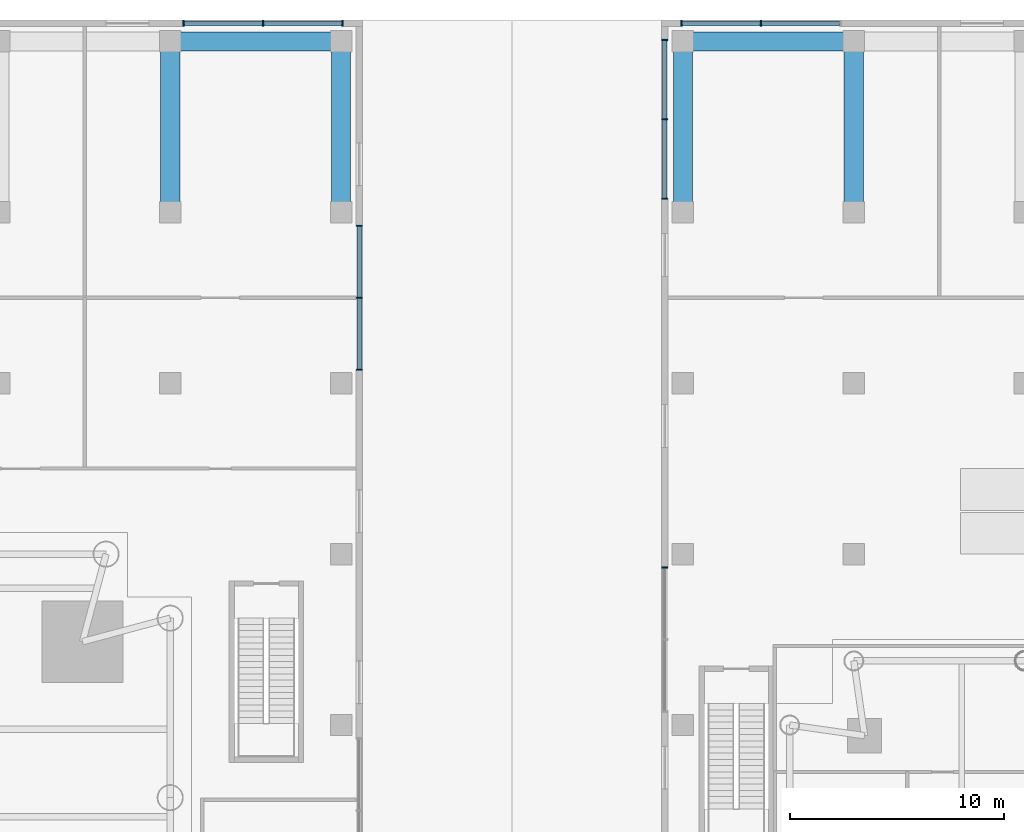
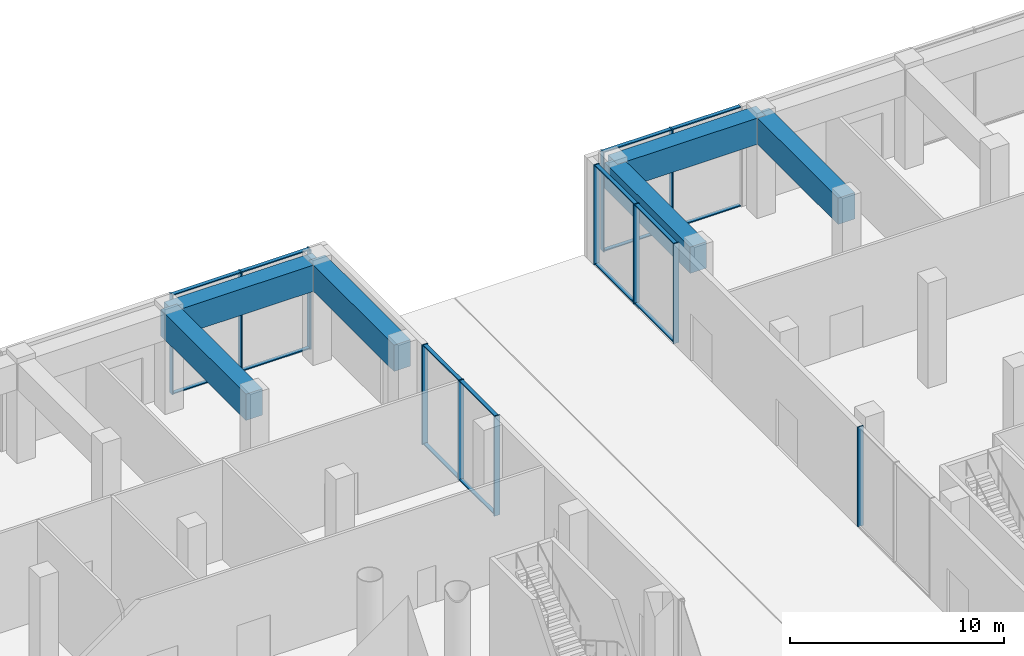
# One storey, part 16 of 39: 28 members, 6 beams, 5 elements without a shape of their own.
"""IFC4 building model written with IfcOpenShell, lengths in metres."""

from ifc_helpers import new_model, si_unit, direction, frame, origin, origin_2d, place, context, subcontext, project, spatial, rectangle, extrude, material, material_profile, profile_set, type_object, element, aggregate, save


model = new_model("IFC4")

# Units and contexts
model_context = context("Model", 3, precision=1e-05, world=origin(), true_north=direction((0.0, 1.0)))
body_context = subcontext(model_context, "Body", "Model", "MODEL_VIEW")
ifc_project = project(units=[si_unit("LENGTHUNIT", "METRE"), si_unit("AREAUNIT", "SQUARE_METRE"), si_unit("VOLUMEUNIT", "CUBIC_METRE"), si_unit("PLANEANGLEUNIT", "RADIAN"), si_unit("MASSUNIT", "GRAM", prefix="KILO")], contexts=[model_context])

# Site, building, storey
site_placement = place(None, origin())
site = spatial("IfcSite", under=ifc_project, at=site_placement, CompositionType="ELEMENT")
building_placement = place(site_placement, origin())
building = spatial("IfcBuilding", under=site, at=building_placement, Name="Ostroluk Exchange", CompositionType="ELEMENT")
storey_placement = place(building_placement, origin())
storey = spatial("IfcBuildingStorey", under=building, at=storey_placement, Name="L00", CompositionType="ELEMENT", Elevation=0.0)

# Beams
ifc_material_1 = material(Name="Concrete C50/60", Category="concrete")
ifc_material_profile_1 = material_profile(ifc_material_1, rectangle(XDim=0.89990234375, YDim=1.5, at=origin_2d()), Name="RC 900x1500")
ifc_profile_set_1 = profile_set([ifc_material_profile_1], Name="Concrete C50/60")
beam_type = type_object("IfcBeamType", Name="Podium edge beam RC 900x1500", PredefinedType="BEAM", material=ifc_profile_set_1)
for number, where, z_axis, x_axis, name in (
    (1, (69.0, 94.0, 4.949951171875), (0.0, -1.0, 0.0), (1.0, 0.0, 0.0), "Terrace beam L01 west N 69"),
    (2, (77.0, 94.0, 4.949951171875), (0.0, -1.0, 0.0), (1.0, 0.0, 0.0), "Terrace beam L01 west N 77"),
    (3, (93.0, 94.0, 4.949951171875), (0.0, -1.0, 0.0), (1.0, 0.0, 0.0), "Terrace beam L01 east N 93"),
    (4, (101.0, 94.0, 4.949951171875), (0.0, -1.0, 0.0), (1.0, 0.0, 0.0), "Terrace beam L01 east N 101"),
    (5, (69.0, 94.0, 4.949951171875), (1.0, 0.0, 0.0), (0.0, 1.0, 0.0), "Terrace bay beam L01 Y94-69"),
    (6, (93.0, 94.0, 4.949951171875), (1.0, 0.0, 0.0), (0.0, 1.0, 0.0), "Terrace bay beam L01 Y94-93"),
):
    element("IfcBeam", number, at=place(storey_placement, frame(where, z_axis=z_axis, x_axis=x_axis)), inside=storey, type_object=beam_type, Name=name, PredefinedType="BEAM", context=body_context, shape_type="SweptSolid", body=[
        extrude(rectangle(XDim=0.89990234375, YDim=1.5, at=origin_2d()), origin(), (0.0, 0.0, 1.0), 8.0),
    ])

# Curtain wall, members
ifc_material_2 = material(Name="Laminated clear glass", Category="glass")
curtain_wall_type = type_object("IfcCurtainWallType", Name="Podium shopfront", PredefinedType="USERDEFINED", material=ifc_material_2)
curtain_wall_1_placement = place(storey_placement, origin())
curtain_wall_1 = element("IfcCurtainWall", 7, at=curtain_wall_1_placement, inside=storey, type_object=curtain_wall_type, Name="Podium west E shopfront 4", ObjectType="STICK SHOPFRONT", PredefinedType="USERDEFINED")
ifc_material_3 = material(Name="Aluminium mullion", Category="aluminium")
ifc_material_profile_2 = material_profile(ifc_material_3, rectangle(XDim=0.300048828125, YDim=0.06005859375, at=origin_2d()), Name="Shopfront mullion 60 x 300")
ifc_profile_set_2 = profile_set([ifc_material_profile_2], Name="Aluminium mullion")
member_type_1 = type_object("IfcMemberType", Name="Shopfront mullion 60 x 300", PredefinedType="MULLION", material=ifc_profile_set_2)
member_1_placement = place(storey_placement, frame((77.85009765625, 78.6298828125, 0.0), z_axis=(0.0, 0.0, 1.0), x_axis=(-1.0, 0.0, 0.0)))
member_1 = element("IfcMember", 8, at=member_1_placement, type_object=member_type_1, Name="CW-SF1 mullion 1", PredefinedType="MULLION", context=body_context, shape_type="SweptSolid", body=[
    extrude(rectangle(XDim=0.300048828125, YDim=0.06005859375, at=origin_2d()), origin(), (0.0, 0.0, 1.0), 5.699951171875),
])
member_2_placement = place(storey_placement, frame((77.85009765625, 82.0, 0.0), z_axis=(0.0, 0.0, 1.0), x_axis=(-1.0, 0.0, 0.0)))
member_2 = element("IfcMember", 9, at=member_2_placement, type_object=member_type_1, Name="CW-SF1 mullion 2", PredefinedType="MULLION", context=body_context, shape_type="SweptSolid", body=[
    extrude(rectangle(XDim=0.300048828125, YDim=0.06005859375, at=origin_2d()), origin(), (0.0, 0.0, 1.0), 5.699951171875),
])
member_3_placement = place(storey_placement, frame((77.85009765625, 85.3701171875, 0.0), z_axis=(0.0, 0.0, 1.0), x_axis=(-1.0, 0.0, 0.0)))
member_3 = element("IfcMember", 10, at=member_3_placement, type_object=member_type_1, Name="CW-SF1 mullion 3", PredefinedType="MULLION", context=body_context, shape_type="SweptSolid", body=[
    extrude(rectangle(XDim=0.300048828125, YDim=0.06005859375, at=origin_2d()), origin(), (0.0, 0.0, 1.0), 5.699951171875),
])

curtain_wall_2_placement = place(storey_placement, origin())
curtain_wall_2 = element("IfcCurtainWall", 11, at=curtain_wall_2_placement, inside=storey, type_object=curtain_wall_type, Name="Podium west N shopfront 1", ObjectType="STICK SHOPFRONT", PredefinedType="USERDEFINED")
member_4_placement = place(storey_placement, frame((77.070068359375, 94.85009765625, 0.0), z_axis=(0.0, 0.0, 1.0), x_axis=(0.0, -1.0, 0.0)))
member_4 = element("IfcMember", 12, at=member_4_placement, type_object=member_type_1, Name="CW-SF1 mullion 1", PredefinedType="MULLION", context=body_context, shape_type="SweptSolid", body=[
    extrude(rectangle(XDim=0.300048828125, YDim=0.06005859375, at=origin_2d()), origin(), (0.0, 0.0, 1.0), 5.699951171875),
])
member_5_placement = place(storey_placement, frame((73.35009765625, 94.85009765625, 0.0), z_axis=(0.0, 0.0, 1.0), x_axis=(0.0, -1.0, 0.0)))
member_5 = element("IfcMember", 13, at=member_5_placement, type_object=member_type_1, Name="CW-SF1 mullion 2", PredefinedType="MULLION", context=body_context, shape_type="SweptSolid", body=[
    extrude(rectangle(XDim=0.300048828125, YDim=0.06005859375, at=origin_2d()), origin(), (0.0, 0.0, 1.0), 5.699951171875),
])
member_6_placement = place(storey_placement, frame((69.6298828125, 94.85009765625, 0.0), z_axis=(0.0, 0.0, 1.0), x_axis=(0.0, -1.0, 0.0)))
member_6 = element("IfcMember", 14, at=member_6_placement, type_object=member_type_1, Name="CW-SF1 mullion 3", PredefinedType="MULLION", context=body_context, shape_type="SweptSolid", body=[
    extrude(rectangle(XDim=0.300048828125, YDim=0.06005859375, at=origin_2d()), origin(), (0.0, 0.0, 1.0), 5.699951171875),
])

curtain_wall_3_placement = place(storey_placement, origin())
curtain_wall_3 = element("IfcCurtainWall", 15, at=curtain_wall_3_placement, inside=storey, type_object=curtain_wall_type, Name="Podium east N shopfront 4", ObjectType="STICK SHOPFRONT", PredefinedType="USERDEFINED")
member_7_placement = place(storey_placement, frame((96.64990234375, 94.85009765625, 0.0), z_axis=(0.0, 0.0, 1.0), x_axis=(0.0, -1.0, 0.0)))
member_7 = element("IfcMember", 16, at=member_7_placement, type_object=member_type_1, Name="CW-SF1 mullion 2", PredefinedType="MULLION", context=body_context, shape_type="SweptSolid", body=[
    extrude(rectangle(XDim=0.300048828125, YDim=0.06005859375, at=origin_2d()), origin(), (0.0, 0.0, 1.0), 5.699951171875),
])
member_8_placement = place(storey_placement, frame((92.929931640625, 94.85009765625, 0.0), z_axis=(0.0, 0.0, 1.0), x_axis=(0.0, -1.0, 0.0)))
member_8 = element("IfcMember", 17, at=member_8_placement, type_object=member_type_1, Name="CW-SF1 mullion 3", PredefinedType="MULLION", context=body_context, shape_type="SweptSolid", body=[
    extrude(rectangle(XDim=0.300048828125, YDim=0.06005859375, at=origin_2d()), origin(), (0.0, 0.0, 1.0), 5.699951171875),
])

curtain_wall_4_placement = place(storey_placement, origin())
curtain_wall_4 = element("IfcCurtainWall", 18, at=curtain_wall_4_placement, inside=storey, type_object=curtain_wall_type, Name="Podium east W shopfront 1", ObjectType="STICK SHOPFRONT", PredefinedType="USERDEFINED")
member_9_placement = place(storey_placement, frame((92.14990234375, 94.070068359375, 0.0), z_axis=(0.0, 0.0, 1.0), x_axis=(1.0, 0.0, 0.0)))
member_9 = element("IfcMember", 19, at=member_9_placement, type_object=member_type_1, Name="CW-SF1 mullion 1", PredefinedType="MULLION", context=body_context, shape_type="SweptSolid", body=[
    extrude(rectangle(XDim=0.300048828125, YDim=0.06005859375, at=origin_2d()), origin(), (0.0, 0.0, 1.0), 5.699951171875),
])
member_10_placement = place(storey_placement, frame((92.14990234375, 90.35009765625, 0.0), z_axis=(0.0, 0.0, 1.0), x_axis=(1.0, 0.0, 0.0)))
member_10 = element("IfcMember", 20, at=member_10_placement, type_object=member_type_1, Name="CW-SF1 mullion 2", PredefinedType="MULLION", context=body_context, shape_type="SweptSolid", body=[
    extrude(rectangle(XDim=0.300048828125, YDim=0.06005859375, at=origin_2d()), origin(), (0.0, 0.0, 1.0), 5.699951171875),
])
member_11_placement = place(storey_placement, frame((92.14990234375, 86.6298828125, 0.0), z_axis=(0.0, 0.0, 1.0), x_axis=(1.0, 0.0, 0.0)))
member_11 = element("IfcMember", 21, at=member_11_placement, type_object=member_type_1, Name="CW-SF1 mullion 3", PredefinedType="MULLION", context=body_context, shape_type="SweptSolid", body=[
    extrude(rectangle(XDim=0.300048828125, YDim=0.06005859375, at=origin_2d()), origin(), (0.0, 0.0, 1.0), 5.699951171875),
])

# Curtain wall, member
curtain_wall_5_placement = place(storey_placement, origin())
curtain_wall_5 = element("IfcCurtainWall", 22, at=curtain_wall_5_placement, inside=storey, type_object=curtain_wall_type, Name="Podium east W shopfront 2", ObjectType="STICK SHOPFRONT", PredefinedType="USERDEFINED")
member_12_placement = place(storey_placement, frame((92.14990234375, 69.3701171875, 0.0), z_axis=(0.0, 0.0, 1.0), x_axis=(1.0, 0.0, 0.0)))
member_12 = element("IfcMember", 23, at=member_12_placement, type_object=member_type_1, Name="CW-SF1 mullion 1", PredefinedType="MULLION", context=body_context, shape_type="SweptSolid", body=[
    extrude(rectangle(XDim=0.300048828125, YDim=0.06005859375, at=origin_2d()), origin(), (0.0, 0.0, 1.0), 5.699951171875),
])
aggregate(curtain_wall_5, [member_12])

# Member
ifc_material_4 = material(Name="Aluminium mullion", Category="aluminium")
ifc_material_profile_3 = material_profile(ifc_material_4, rectangle(XDim=0.199951171875, YDim=0.06005859375, at=origin_2d()), Name="Shopfront transom 60 x 200")
ifc_profile_set_3 = profile_set([ifc_material_profile_3], Name="Aluminium mullion")
member_type_2 = type_object("IfcMemberType", Name="Shopfront transom 60 x 200", PredefinedType="USERDEFINED", material=ifc_profile_set_3)
member_13_placement = place(storey_placement, frame((77.85009765625, 78.659912109375, 0.030029296875), z_axis=(0.0, 1.0, 0.0), x_axis=(-1.0, 0.0, 0.0)))
member_13 = element("IfcMember", 24, at=member_13_placement, type_object=member_type_2, Name="CW-SF1 transom 1.1", ObjectType="TRANSOM", PredefinedType="USERDEFINED", context=body_context, shape_type="SweptSolid", body=[
    extrude(rectangle(XDim=0.199951171875, YDim=0.06005859375, at=origin_2d()), origin(), (0.0, 0.0, 1.0), 3.31005859375),
])

member_14_placement = place(storey_placement, frame((77.85009765625, 78.659912109375, 5.669921875), z_axis=(0.0, 1.0, 0.0), x_axis=(-1.0, 0.0, 0.0)))
member_14 = element("IfcMember", 25, at=member_14_placement, type_object=member_type_2, Name="CW-SF1 transom 1.2", ObjectType="TRANSOM", PredefinedType="USERDEFINED", context=body_context, shape_type="SweptSolid", body=[
    extrude(rectangle(XDim=0.199951171875, YDim=0.06005859375, at=origin_2d()), origin(), (0.0, 0.0, 1.0), 3.31005859375),
])

member_15_placement = place(storey_placement, frame((77.85009765625, 82.030029296875, 0.030029296875), z_axis=(0.0, 1.0, 0.0), x_axis=(-1.0, 0.0, 0.0)))
member_15 = element("IfcMember", 26, at=member_15_placement, type_object=member_type_2, Name="CW-SF1 transom 2.1", ObjectType="TRANSOM", PredefinedType="USERDEFINED", context=body_context, shape_type="SweptSolid", body=[
    extrude(rectangle(XDim=0.199951171875, YDim=0.06005859375, at=origin_2d()), origin(), (0.0, 0.0, 1.0), 3.31005859375),
])

member_16_placement = place(storey_placement, frame((77.85009765625, 82.030029296875, 5.669921875), z_axis=(0.0, 1.0, 0.0), x_axis=(-1.0, 0.0, 0.0)))
member_16 = element("IfcMember", 27, at=member_16_placement, type_object=member_type_2, Name="CW-SF1 transom 2.2", ObjectType="TRANSOM", PredefinedType="USERDEFINED", context=body_context, shape_type="SweptSolid", body=[
    extrude(rectangle(XDim=0.199951171875, YDim=0.06005859375, at=origin_2d()), origin(), (0.0, 0.0, 1.0), 3.31005859375),
])

aggregate(curtain_wall_1, [member_1, member_2, member_3, member_13, member_14, member_15, member_16])

member_17_placement = place(storey_placement, frame((77.0400390625, 94.85009765625, 0.030029296875), z_axis=(-1.0, 0.0, 0.0), x_axis=(0.0, -1.0, 0.0)))
member_17 = element("IfcMember", 28, at=member_17_placement, type_object=member_type_2, Name="CW-SF1 transom 1.1", ObjectType="TRANSOM", PredefinedType="USERDEFINED", context=body_context, shape_type="SweptSolid", body=[
    extrude(rectangle(XDim=0.199951171875, YDim=0.06005859375, at=origin_2d()), origin(), (0.0, 0.0, 1.0), 3.66015625),
])

member_18_placement = place(storey_placement, frame((77.0400390625, 94.85009765625, 5.669921875), z_axis=(-1.0, 0.0, 0.0), x_axis=(0.0, -1.0, 0.0)))
member_18 = element("IfcMember", 29, at=member_18_placement, type_object=member_type_2, Name="CW-SF1 transom 1.2", ObjectType="TRANSOM", PredefinedType="USERDEFINED", context=body_context, shape_type="SweptSolid", body=[
    extrude(rectangle(XDim=0.199951171875, YDim=0.06005859375, at=origin_2d()), origin(), (0.0, 0.0, 1.0), 3.66015625),
])

member_19_placement = place(storey_placement, frame((73.320068359375, 94.85009765625, 0.030029296875), z_axis=(-1.0, 0.0, 0.0), x_axis=(0.0, -1.0, 0.0)))
member_19 = element("IfcMember", 30, at=member_19_placement, type_object=member_type_2, Name="CW-SF1 transom 2.1", ObjectType="TRANSOM", PredefinedType="USERDEFINED", context=body_context, shape_type="SweptSolid", body=[
    extrude(rectangle(XDim=0.199951171875, YDim=0.06005859375, at=origin_2d()), origin(), (0.0, 0.0, 1.0), 3.66015625),
])

member_20_placement = place(storey_placement, frame((73.320068359375, 94.85009765625, 5.669921875), z_axis=(-1.0, 0.0, 0.0), x_axis=(0.0, -1.0, 0.0)))
member_20 = element("IfcMember", 31, at=member_20_placement, type_object=member_type_2, Name="CW-SF1 transom 2.2", ObjectType="TRANSOM", PredefinedType="USERDEFINED", context=body_context, shape_type="SweptSolid", body=[
    extrude(rectangle(XDim=0.199951171875, YDim=0.06005859375, at=origin_2d()), origin(), (0.0, 0.0, 1.0), 3.66015625),
])

aggregate(curtain_wall_2, [member_4, member_5, member_6, member_17, member_18, member_19, member_20])

member_21_placement = place(storey_placement, frame((100.340087890625, 94.85009765625, 0.030029296875), z_axis=(-1.0, 0.0, 0.0), x_axis=(0.0, -1.0, 0.0)))
member_21 = element("IfcMember", 32, at=member_21_placement, type_object=member_type_2, Name="CW-SF1 transom 1.1", ObjectType="TRANSOM", PredefinedType="USERDEFINED", context=body_context, shape_type="SweptSolid", body=[
    extrude(rectangle(XDim=0.199951171875, YDim=0.06005859375, at=origin_2d()), origin(), (0.0, 0.0, 1.0), 3.66015625),
])

member_22_placement = place(storey_placement, frame((100.340087890625, 94.85009765625, 5.669921875), z_axis=(-1.0, 0.0, 0.0), x_axis=(0.0, -1.0, 0.0)))
member_22 = element("IfcMember", 33, at=member_22_placement, type_object=member_type_2, Name="CW-SF1 transom 1.2", ObjectType="TRANSOM", PredefinedType="USERDEFINED", context=body_context, shape_type="SweptSolid", body=[
    extrude(rectangle(XDim=0.199951171875, YDim=0.06005859375, at=origin_2d()), origin(), (0.0, 0.0, 1.0), 3.66015625),
])

member_23_placement = place(storey_placement, frame((96.6201171875, 94.85009765625, 0.030029296875), z_axis=(-1.0, 0.0, 0.0), x_axis=(0.0, -1.0, 0.0)))
member_23 = element("IfcMember", 34, at=member_23_placement, type_object=member_type_2, Name="CW-SF1 transom 2.1", ObjectType="TRANSOM", PredefinedType="USERDEFINED", context=body_context, shape_type="SweptSolid", body=[
    extrude(rectangle(XDim=0.199951171875, YDim=0.06005859375, at=origin_2d()), origin(), (0.0, 0.0, 1.0), 3.66015625),
])

member_24_placement = place(storey_placement, frame((96.6201171875, 94.85009765625, 5.669921875), z_axis=(-1.0, 0.0, 0.0), x_axis=(0.0, -1.0, 0.0)))
member_24 = element("IfcMember", 35, at=member_24_placement, type_object=member_type_2, Name="CW-SF1 transom 2.2", ObjectType="TRANSOM", PredefinedType="USERDEFINED", context=body_context, shape_type="SweptSolid", body=[
    extrude(rectangle(XDim=0.199951171875, YDim=0.06005859375, at=origin_2d()), origin(), (0.0, 0.0, 1.0), 3.66015625),
])

aggregate(curtain_wall_3, [member_7, member_8, member_21, member_22, member_23, member_24])

member_25_placement = place(storey_placement, frame((92.14990234375, 94.0400390625, 0.030029296875), z_axis=(0.0, -1.0, 0.0), x_axis=(1.0, 0.0, 0.0)))
member_25 = element("IfcMember", 36, at=member_25_placement, type_object=member_type_2, Name="CW-SF1 transom 1.1", ObjectType="TRANSOM", PredefinedType="USERDEFINED", context=body_context, shape_type="SweptSolid", body=[
    extrude(rectangle(XDim=0.199951171875, YDim=0.06005859375, at=origin_2d()), origin(), (0.0, 0.0, 1.0), 3.66015625),
])

member_26_placement = place(storey_placement, frame((92.14990234375, 94.0400390625, 5.669921875), z_axis=(0.0, -1.0, 0.0), x_axis=(1.0, 0.0, 0.0)))
member_26 = element("IfcMember", 37, at=member_26_placement, type_object=member_type_2, Name="CW-SF1 transom 1.2", ObjectType="TRANSOM", PredefinedType="USERDEFINED", context=body_context, shape_type="SweptSolid", body=[
    extrude(rectangle(XDim=0.199951171875, YDim=0.06005859375, at=origin_2d()), origin(), (0.0, 0.0, 1.0), 3.66015625),
])

member_27_placement = place(storey_placement, frame((92.14990234375, 90.320068359375, 0.030029296875), z_axis=(0.0, -1.0, 0.0), x_axis=(1.0, 0.0, 0.0)))
member_27 = element("IfcMember", 38, at=member_27_placement, type_object=member_type_2, Name="CW-SF1 transom 2.1", ObjectType="TRANSOM", PredefinedType="USERDEFINED", context=body_context, shape_type="SweptSolid", body=[
    extrude(rectangle(XDim=0.199951171875, YDim=0.06005859375, at=origin_2d()), origin(), (0.0, 0.0, 1.0), 3.66015625),
])

member_28_placement = place(storey_placement, frame((92.14990234375, 90.320068359375, 5.669921875), z_axis=(0.0, -1.0, 0.0), x_axis=(1.0, 0.0, 0.0)))
member_28 = element("IfcMember", 39, at=member_28_placement, type_object=member_type_2, Name="CW-SF1 transom 2.2", ObjectType="TRANSOM", PredefinedType="USERDEFINED", context=body_context, shape_type="SweptSolid", body=[
    extrude(rectangle(XDim=0.199951171875, YDim=0.06005859375, at=origin_2d()), origin(), (0.0, 0.0, 1.0), 3.66015625),
])

aggregate(curtain_wall_4, [member_9, member_10, member_11, member_25, member_26, member_27, member_28])

save(model, "model.ifc")
